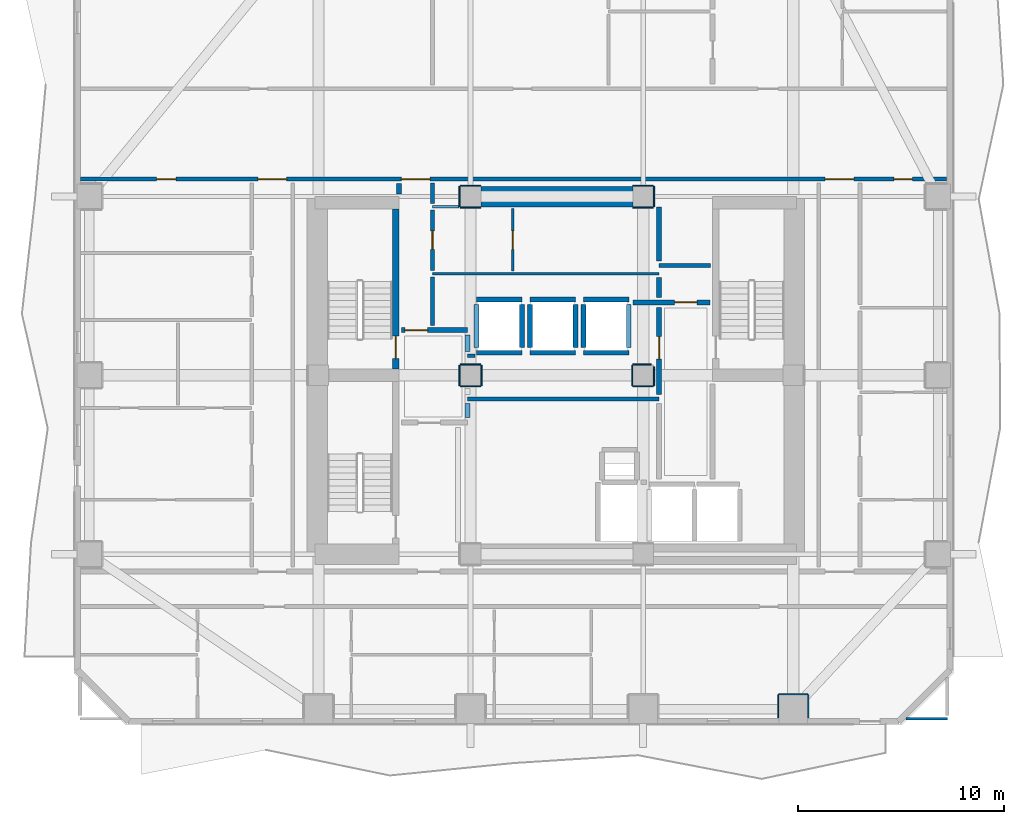
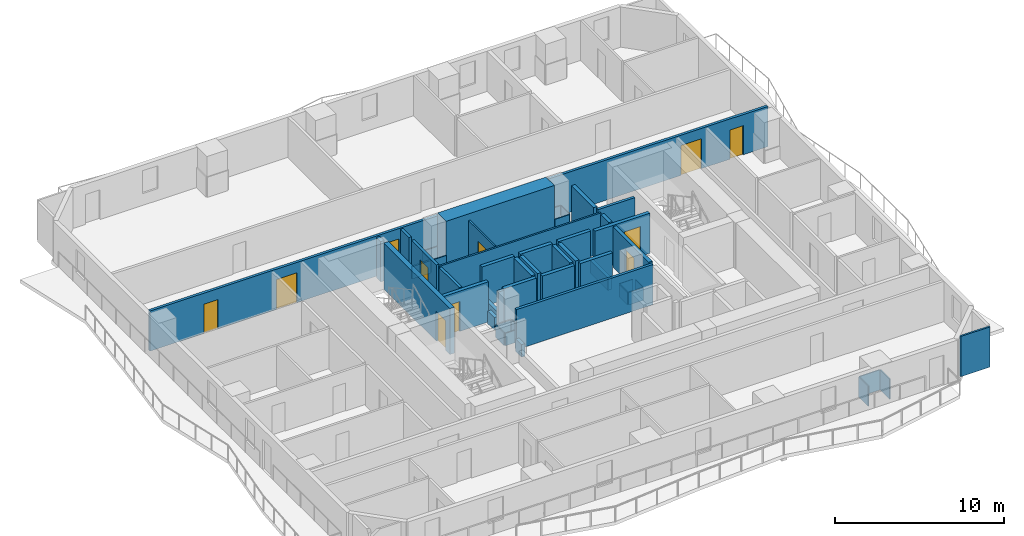
# One storey, part 4 of 10: 50 walls, 11 doors, 11 openings.
"""IFC4 building model written with IfcOpenShell, lengths in metres."""

from ifc_helpers import new_model, si_unit, direction, frame, frame_2d, origin, place, context, subcontext, project, spatial, rectangle, extrude, material, layer, layer_set, type_object, element, fill, save


model = new_model("IFC4")

# Units and contexts
model_context = context("Model", 3, precision=1e-05, world=origin(), true_north=direction((0.0, 1.0)))
body_context = subcontext(model_context, "Body", "Model", "MODEL_VIEW")
ifc_project = project(units=[si_unit("LENGTHUNIT", "METRE"), si_unit("AREAUNIT", "SQUARE_METRE"), si_unit("VOLUMEUNIT", "CUBIC_METRE"), si_unit("PLANEANGLEUNIT", "RADIAN"), si_unit("MASSUNIT", "GRAM", prefix="KILO")], contexts=[model_context])

# Site, building, storey
site_placement = place(None, origin())
site = spatial("IfcSite", under=ifc_project, at=site_placement, CompositionType="ELEMENT")
building_placement = place(site_placement, origin())
building = spatial("IfcBuilding", under=site, at=building_placement, Name="Solanera Arch Residences", CompositionType="ELEMENT")
storey_placement = place(building_placement, frame((0.0, 0.0, 102.760009765625)))
storey = spatial("IfcBuildingStorey", under=building, at=storey_placement, Name="L29", CompositionType="ELEMENT", Elevation=102.760009765625)

# Walls
ifc_material_1 = material(Name="Fire-Rated Gypsum Stud Partition", Category="gypsum")
ifc_layer_1 = layer(ifc_material_1, 0.06005859375)
ifc_layer_set_1 = layer_set([ifc_layer_1], Name="Fire-Rated Gypsum Stud Partition")
wall_type_1 = type_object("IfcWallType", Name="Column Acoustic Furring Wall 60", PredefinedType="PARTITIONING", material=ifc_layer_set_1)
for number, where, z_axis, x_axis, name in (
    (1, (20.300048828125, 38.867919921875, 0.0), (0.0, 0.0, 1.0), (1.0, 0.0, 0.0), "L29 Column Furring 3S"),
    (2, (20.300048828125, 39.931884765625, 0.0), (0.0, 0.0, 1.0), (1.0, 0.0, 0.0), "L29 Column Furring 3N"),
    (3, (20.26806640625, 38.89990234375, 0.0), (0.0, 0.0, 1.0), (0.0, 1.0, 0.0), "L29 Column Furring 3W"),
    (4, (28.699951171875, 38.867919921875, 0.0), (0.0, 0.0, 1.0), (1.0, 0.0, 0.0), "L29 Column Furring 4S"),
    (5, (28.699951171875, 39.931884765625, 0.0), (0.0, 0.0, 1.0), (1.0, 0.0, 0.0), "L29 Column Furring 4N"),
    (6, (29.73193359375, 38.89990234375, 0.0), (0.0, 0.0, 1.0), (0.0, 1.0, 0.0), "L29 Column Furring 4E"),
    (7, (20.300048828125, 30.16796875, 0.0), (0.0, 0.0, 1.0), (1.0, 0.0, 0.0), "L29 Column Furring 7S"),
    (8, (20.300048828125, 31.23193359375, 0.0), (0.0, 0.0, 1.0), (1.0, 0.0, 0.0), "L29 Column Furring 7N"),
    (9, (20.26806640625, 30.199951171875, 0.0), (0.0, 0.0, 1.0), (0.0, 1.0, 0.0), "L29 Column Furring 7W"),
    (10, (21.33203125, 30.199951171875, 0.0), (0.0, 0.0, 1.0), (0.0, 1.0, 0.0), "L29 Column Furring 7E"),
    (11, (28.699951171875, 30.16796875, 0.0), (0.0, 0.0, 1.0), (1.0, 0.0, 0.0), "L29 Column Furring 8S"),
):
    element("IfcWall", number, at=place(storey_placement, frame(where, z_axis=z_axis, x_axis=x_axis)), inside=storey, type_object=wall_type_1, Name=name, PredefinedType="PARTITIONING", context=body_context, shape_type="SweptSolid", body=[
        extrude(rectangle(XDim=1.0, YDim=0.06005859375, at=frame_2d((0.5, 0.0))), origin(), (0.0, 0.0, 1.0), 0.905029296875),
    ])
wall_1_placement = place(storey_placement, frame((28.699951171875, 31.23193359375, 0.0), z_axis=(0.0, 0.0, 1.0), x_axis=(1.0, 0.0, 0.0)))
element("IfcWall", 12, at=wall_1_placement, inside=storey, type_object=wall_type_1, Name="L29 Column Furring 8N", PredefinedType="PARTITIONING", context=body_context, shape_type="SweptSolid", body=[
    extrude(rectangle(XDim=0.903076171875, YDim=0.06005859375, at=frame_2d((0.45166015625, 0.0))), origin(), (0.0, 0.0, 1.0), 0.905029296875),
])
wall_2_placement = place(storey_placement, frame((28.66796875, 30.199951171875, 0.0), z_axis=(0.0, 0.0, 1.0), x_axis=(0.0, 1.0, 0.0)))
element("IfcWall", 13, at=wall_2_placement, inside=storey, type_object=wall_type_1, Name="L29 Column Furring 8W", PredefinedType="PARTITIONING", context=body_context, shape_type="SweptSolid", body=[
    extrude(rectangle(XDim=1.0, YDim=0.06005859375, at=frame_2d((0.5, 0.0))), origin(), (0.0, 0.0, 1.0), 0.905029296875),
])
wall_3_placement = place(storey_placement, frame((29.73193359375, 30.199951171875, 0.0), z_axis=(0.0, 0.0, 1.0), x_axis=(0.0, 1.0, 0.0)))
element("IfcWall", 14, at=wall_3_placement, inside=storey, type_object=wall_type_1, Name="L29 Column Furring 8E", PredefinedType="PARTITIONING", context=body_context, shape_type="SweptSolid", body=[
    extrude(rectangle(XDim=0.906982421875, YDim=0.06005859375, at=frame_2d((0.45361328125, 0.0))), origin(), (0.0, 0.0, 1.0), 0.905029296875),
])
wall_4_placement = place(storey_placement, frame((35.800048828125, 15.181884765625, 0.0), z_axis=(0.0, 0.0, 1.0), x_axis=(1.0, 0.0, 0.0)))
element("IfcWall", 15, at=wall_4_placement, inside=storey, type_object=wall_type_1, Name="L29 Column Furring 15N", PredefinedType="PARTITIONING", context=body_context, shape_type="SweptSolid", body=[
    extrude(rectangle(XDim=1.39990234375, YDim=0.06005859375, at=frame_2d((0.699951171875, 0.0))), origin(), (0.0, 0.0, 1.0), 1.449951171875),
])
for number, where, z_axis, x_axis, name in (
    (16, (35.76806640625, 14.030029296875, 0.0), (0.0, 0.0, 1.0), (0.0, 1.0, 0.0), "L29 Column Furring 15W"),
    (17, (37.23193359375, 14.030029296875, 0.0), (0.0, 0.0, 1.0), (0.0, 1.0, 0.0), "L29 Column Furring 15E"),
):
    element("IfcWall", number, at=place(storey_placement, frame(where, z_axis=z_axis, x_axis=x_axis)), inside=storey, type_object=wall_type_1, Name=name, PredefinedType="PARTITIONING", context=body_context, shape_type="SweptSolid", body=[
        extrude(rectangle(XDim=1.119873046875, YDim=0.06005859375, at=frame_2d((0.56005859375, 0.0))), origin(), (0.0, 0.0, 1.0), 1.449951171875),
    ])
ifc_material_2 = material(Name="Concrete C55/67 (f'c = 60 MPa)", Category="concrete")
ifc_layer_2 = layer(ifc_material_2, 1.0)
ifc_layer_set_2 = layer_set([ifc_layer_2], Name="Concrete C55/67 (f'c = 60 MPa)")
wall_type_2 = type_object("IfcWallType", Name="Core Shear Wall CW-1000", PredefinedType="SHEAR", material=ifc_layer_set_2)
wall_5_placement = place(storey_placement, frame((21.304931640625, 39.39990234375, 0.0), z_axis=(0.0, 0.0, 1.0), x_axis=(1.0, 0.0, 0.0)))
element("IfcWall", 18, at=wall_5_placement, inside=storey, type_object=wall_type_2, Name="L29 Central North Core Shear Wall", PredefinedType="SHEAR", context=body_context, shape_type="SweptSolid", body=[
    extrude(rectangle(XDim=7.39013671875, YDim=1.0, at=frame_2d((3.695068359375, 0.0))), origin(), (0.0, 0.0, 1.0), 3.320068359375),
])

# Wall, opening, door
ifc_material_3 = material(Name="Concrete C40/50 (f'c = 45 MPa)", Category="concrete")
ifc_layer_3 = layer(ifc_material_3, 0.320068359375)
ifc_layer_set_3 = layer_set([ifc_layer_3], Name="Concrete C40/50 (f'c = 45 MPa)")
wall_type_3 = type_object("IfcWallType", Name="Core Shear Wall CW-320", PredefinedType="SHEAR", material=ifc_layer_set_3)
wall_6_placement = place(storey_placement, frame((17.159912109375, 31.0, 0.0), z_axis=(0.0, 0.0, 1.0), x_axis=(0.0, 1.0, 0.0)))
wall_6 = element("IfcWall", 19, at=wall_6_placement, inside=storey, type_object=wall_type_3, Name="L29 Stair ST-T1 East Shear Wall", PredefinedType="SHEAR", context=body_context, shape_type="SweptSolid", body=[
    extrude(rectangle(XDim=7.800048828125, YDim=0.320068359375, at=frame_2d((3.89990234375, 0.0))), origin(), (0.0, 0.0, 1.0), 3.320068359375),
])
opening_1_placement = place(wall_6_placement, frame((0.510009765625, 0.0, 0.0)))
opening_1 = element("IfcOpeningElement", 20, at=opening_1_placement, cuts=wall_6, Name="Opening DF-01", PredefinedType="OPENING", context=body_context, shape_type="SweptSolid", body=[
    extrude(rectangle(XDim=1.10009765625, YDim=2.14990234375, at=frame_2d((0.550048828125, 1.074951171875))), frame((0.0, 0.169921875, 0.0), z_axis=(0.0, -1.0, 0.0), x_axis=(1.0, 0.0, 0.0)), (0.0, 0.0, 1.0), 0.3401),
])
ifc_material_4 = material(Name="Fire-Rated Architectural Hardwood", Category="wood")
door_type_1 = type_object("IfcDoorType", Name="Stair Exit Fire Door DF-01", OperationType="NOTDEFINED", PredefinedType="DOOR", material=ifc_material_4)
door_1_placement = place(opening_1_placement, origin())
door_1 = element("IfcDoor", 21, at=door_1_placement, inside=storey, type_object=door_type_1, Name="DR-L29-STAIR-ST-T1", OperationType="SINGLE_SWING_RIGHT", OverallHeight=2.14990234375, OverallWidth=1.10009765625, PredefinedType="DOOR", context=body_context, shape_type="SweptSolid", body=[
    extrude(rectangle(XDim=1.10009765625, YDim=2.14990234375, at=frame_2d((0.550048828125, 1.074951171875))), frame((0.0, 0.02490234375, 0.0), z_axis=(0.0, -1.0, 0.0), x_axis=(1.0, 0.0, 0.0)), (0.0, 0.0, 1.0), 0.050048828125),
])
fill(opening_1, door_1)

# Walls
ifc_material_5 = material(Name="Autoclaved Aerated Concrete Blockwork", Category="masonry")
ifc_layer_4 = layer(ifc_material_5, 0.179931640625)
ifc_layer_set_4 = layer_set([ifc_layer_4], Name="Autoclaved Aerated Concrete Blockwork")
wall_type_4 = type_object("IfcWallType", Name="Corridor Fire Partition 180", PredefinedType="PARTITIONING", material=ifc_layer_set_4)
wall_7_placement = place(storey_placement, frame((20.64990234375, 29.550048828125, 0.0), z_axis=(0.0, 0.0, 1.0), x_axis=(1.0, 0.0, 0.0)))
element("IfcWall", 22, at=wall_7_placement, inside=storey, type_object=wall_type_4, Name="L29 Interior Partition H7", PredefinedType="PARTITIONING", context=body_context, shape_type="SweptSolid", body=[
    extrude(rectangle(XDim=9.3251953125, YDim=0.179931640625, at=frame_2d((4.66259765625, 0.0))), origin(), (0.0, 0.0, 1.0), 2.89990234375),
])
wall_8_placement = place(storey_placement, frame((20.64990234375, 31.64990234375, 0.0), z_axis=(0.0, 0.0, 1.0), x_axis=(1.0, 0.0, 0.0)))
element("IfcWall", 23, at=wall_8_placement, inside=storey, type_object=wall_type_4, Name="L29 Interior Partition H8", PredefinedType="PARTITIONING", context=body_context, shape_type="SweptSolid", body=[
    extrude(rectangle(XDim=0.357177734375, YDim=0.179931640625, at=frame_2d((0.1787109375, 0.0))), origin(), (0.0, 0.0, 1.0), 2.89990234375),
])
wall_9_placement = place(storey_placement, frame((29.97509765625, 36.050048828125, 0.0), z_axis=(0.0, 0.0, 1.0), x_axis=(1.0, 0.0, 0.0)))
element("IfcWall", 24, at=wall_9_placement, inside=storey, type_object=wall_type_4, Name="L29 Interior Partition H9", PredefinedType="PARTITIONING", context=body_context, shape_type="SweptSolid", body=[
    extrude(rectangle(XDim=2.5048828125, YDim=0.179931640625, at=frame_2d((1.25244140625, 0.0))), origin(), (0.0, 0.0, 1.0), 2.89990234375),
])

# Wall, openings, doors
wall_10_placement = place(storey_placement, frame((1.826904296875, 40.25, 0.0), z_axis=(0.0, 0.0, 1.0), x_axis=(1.0, 0.0, 0.0)))
wall_10 = element("IfcWall", 25, at=wall_10_placement, inside=storey, type_object=wall_type_4, Name="L29 Interior Partition H10", PredefinedType="PARTITIONING", context=body_context, shape_type="SweptSolid", body=[
    extrude(rectangle(XDim=42.14599609375, YDim=0.179931640625, at=frame_2d((21.072998046875, 0.0))), origin(), (0.0, 0.0, 1.0), 2.89990234375),
])
opening_2_placement = place(wall_10_placement, frame((15.60791015625, 0.0, 0.0)))
opening_2 = element("IfcOpeningElement", 26, at=opening_2_placement, cuts=wall_10, Name="Opening DF-03", PredefinedType="OPENING", context=body_context, shape_type="SweptSolid", body=[
    extrude(rectangle(XDim=1.39990234375, YDim=2.14990234375, at=frame_2d((0.699951171875, 1.074951171875))), frame((0.0, 0.10009765625, 0.0), z_axis=(0.0, -1.0, 0.0), x_axis=(1.0, 0.0, 0.0)), (0.0, 0.0, 1.0), 0.1999),
])
opening_3_placement = place(wall_10_placement, frame((8.623046875, 0.0, 0.0)))
opening_3 = element("IfcOpeningElement", 27, at=opening_3_placement, cuts=wall_10, Name="Opening DF-03", PredefinedType="OPENING", context=body_context, shape_type="SweptSolid", body=[
    extrude(rectangle(XDim=1.39990234375, YDim=2.14990234375, at=frame_2d((0.699951171875, 1.074951171875))), frame((0.0, 0.10009765625, 0.0), z_axis=(0.0, -1.0, 0.0), x_axis=(1.0, 0.0, 0.0)), (0.0, 0.0, 1.0), 0.1999),
])
opening_4_placement = place(wall_10_placement, frame((36.222900390625, 0.0, 0.0)))
opening_4 = element("IfcOpeningElement", 28, at=opening_4_placement, cuts=wall_10, Name="Opening DF-03", PredefinedType="OPENING", context=body_context, shape_type="SweptSolid", body=[
    extrude(rectangle(XDim=1.39990234375, YDim=2.14990234375, at=frame_2d((0.699951171875, 1.074951171875))), frame((0.0, 0.10009765625, 0.0), z_axis=(0.0, -1.0, 0.0), x_axis=(1.0, 0.0, 0.0)), (0.0, 0.0, 1.0), 0.1999),
])
opening_5_placement = place(wall_10_placement, frame((3.697021484375, 0.0, 0.0)))
opening_5 = element("IfcOpeningElement", 29, at=opening_5_placement, cuts=wall_10, Name="Opening DI-04", PredefinedType="OPENING", context=body_context, shape_type="SweptSolid", body=[
    extrude(rectangle(XDim=0.949951171875, YDim=2.10009765625, at=frame_2d((0.47509765625, 1.050048828125))), frame((0.0, 0.10009765625, 0.0), z_axis=(0.0, -1.0, 0.0), x_axis=(1.0, 0.0, 0.0)), (0.0, 0.0, 1.0), 0.1999),
])
opening_6_placement = place(wall_10_placement, frame((39.573974609375, 0.0, 0.0)))
opening_6 = element("IfcOpeningElement", 30, at=opening_6_placement, cuts=wall_10, Name="Opening DI-02", PredefinedType="OPENING", context=body_context, shape_type="SweptSolid", body=[
    extrude(rectangle(XDim=0.89990234375, YDim=2.10009765625, at=frame_2d((0.449951171875, 1.050048828125))), frame((0.0, 0.10009765625, 0.0), z_axis=(0.0, -1.0, 0.0), x_axis=(1.0, 0.0, 0.0)), (0.0, 0.0, 1.0), 0.1999),
])
ifc_material_6 = material(Name="Fire-Rated Architectural Hardwood", Category="wood")
door_type_2 = type_object("IfcDoorType", Name="Accessible Restroom Door DI-04", OperationType="NOTDEFINED", PredefinedType="DOOR", material=ifc_material_6)
door_2_placement = place(opening_5_placement, origin())
door_2 = element("IfcDoor", 31, at=door_2_placement, inside=storey, type_object=door_type_2, Name="DR-L29-IN-036", OperationType="SINGLE_SWING_LEFT", OverallHeight=2.10009765625, OverallWidth=0.949951171875, PredefinedType="DOOR", context=body_context, shape_type="SweptSolid", body=[
    extrude(rectangle(XDim=0.949951171875, YDim=2.10009765625, at=frame_2d((0.47509765625, 1.050048828125))), frame((0.0, 0.02490234375, 0.0), z_axis=(0.0, -1.0, 0.0), x_axis=(1.0, 0.0, 0.0)), (0.0, 0.0, 1.0), 0.050048828125),
])
fill(opening_5, door_2)
ifc_material_7 = material(Name="Fire-Rated Architectural Hardwood", Category="wood")
door_type_3 = type_object("IfcDoorType", Name="Corridor Smoke Door DF-03", OperationType="NOTDEFINED", PredefinedType="DOOR", material=ifc_material_7)
door_3_placement = place(opening_2_placement, origin())
door_3 = element("IfcDoor", 32, at=door_3_placement, inside=storey, type_object=door_type_3, Name="DR-L29-IN-009", OperationType="SINGLE_SWING_RIGHT", OverallHeight=2.14990234375, OverallWidth=1.39990234375, PredefinedType="DOOR", context=body_context, shape_type="SweptSolid", body=[
    extrude(rectangle(XDim=1.39990234375, YDim=2.14990234375, at=frame_2d((0.699951171875, 1.074951171875))), frame((0.0, 0.02490234375, 0.0), z_axis=(0.0, -1.0, 0.0), x_axis=(1.0, 0.0, 0.0)), (0.0, 0.0, 1.0), 0.050048828125),
])
fill(opening_2, door_3)
door_4_placement = place(opening_3_placement, origin())
door_4 = element("IfcDoor", 33, at=door_4_placement, inside=storey, type_object=door_type_3, Name="DR-L29-IN-012", OperationType="SINGLE_SWING_LEFT", OverallHeight=2.14990234375, OverallWidth=1.39990234375, PredefinedType="DOOR", context=body_context, shape_type="SweptSolid", body=[
    extrude(rectangle(XDim=1.39990234375, YDim=2.14990234375, at=frame_2d((0.699951171875, 1.074951171875))), frame((0.0, 0.02490234375, 0.0), z_axis=(0.0, -1.0, 0.0), x_axis=(1.0, 0.0, 0.0)), (0.0, 0.0, 1.0), 0.050048828125),
])
fill(opening_3, door_4)
door_5_placement = place(opening_4_placement, origin())
door_5 = element("IfcDoor", 34, at=door_5_placement, inside=storey, type_object=door_type_3, Name="DR-L29-IN-013", OperationType="SINGLE_SWING_RIGHT", OverallHeight=2.14990234375, OverallWidth=1.39990234375, PredefinedType="DOOR", context=body_context, shape_type="SweptSolid", body=[
    extrude(rectangle(XDim=1.39990234375, YDim=2.14990234375, at=frame_2d((0.699951171875, 1.074951171875))), frame((0.0, 0.02490234375, 0.0), z_axis=(0.0, -1.0, 0.0), x_axis=(1.0, 0.0, 0.0)), (0.0, 0.0, 1.0), 0.050048828125),
])
fill(opening_4, door_5)
ifc_material_8 = material(Name="Fire-Rated Architectural Hardwood", Category="wood")
door_type_4 = type_object("IfcDoorType", Name="Suite Room Swing Door DI-02", OperationType="NOTDEFINED", PredefinedType="DOOR", material=ifc_material_8)
door_6_placement = place(opening_6_placement, origin())
door_6 = element("IfcDoor", 35, at=door_6_placement, inside=storey, type_object=door_type_4, Name="DR-L29-IN-040", OperationType="SINGLE_SWING_LEFT", OverallHeight=2.10009765625, OverallWidth=0.89990234375, PredefinedType="DOOR", context=body_context, shape_type="SweptSolid", body=[
    extrude(rectangle(XDim=0.89990234375, YDim=2.10009765625, at=frame_2d((0.449951171875, 1.050048828125))), frame((0.0, 0.02490234375, 0.0), z_axis=(0.0, -1.0, 0.0), x_axis=(1.0, 0.0, 0.0)), (0.0, 0.0, 1.0), 0.050048828125),
])
fill(opening_6, door_6)

# Wall
wall_11_placement = place(storey_placement, frame((18.949951171875, 33.117919921875, 0.0), z_axis=(0.0, 0.0, 1.0), x_axis=(0.0, 1.0, 0.0)))
element("IfcWall", 36, at=wall_11_placement, inside=storey, type_object=wall_type_4, Name="L29 Interior Partition V10 1", PredefinedType="PARTITIONING", context=body_context, shape_type="SweptSolid", body=[
    extrude(rectangle(XDim=2.3740234375, YDim=0.179931640625, at=frame_2d((1.18701171875, 0.0))), origin(), (0.0, 0.0, 1.0), 2.89990234375),
])

# Wall, opening, door
wall_12_placement = place(storey_placement, frame((18.949951171875, 35.80810546875, 0.0), z_axis=(0.0, 0.0, 1.0), x_axis=(0.0, 1.0, 0.0)))
wall_12 = element("IfcWall", 37, at=wall_12_placement, inside=storey, type_object=wall_type_4, Name="L29 Interior Partition V10 2", PredefinedType="PARTITIONING", context=body_context, shape_type="SweptSolid", body=[
    extrude(rectangle(XDim=2.933837890625, YDim=0.179931640625, at=frame_2d((1.466796875, 0.0))), origin(), (0.0, 0.0, 1.0), 2.89990234375),
])
opening_7_placement = place(wall_12_placement, frame((1.01708984375, 0.0, 0.0)))
opening_7 = element("IfcOpeningElement", 38, at=opening_7_placement, cuts=wall_12, Name="Opening DI-02", PredefinedType="OPENING", context=body_context, shape_type="SweptSolid", body=[
    extrude(rectangle(XDim=0.89990234375, YDim=2.10009765625, at=frame_2d((0.449951171875, 1.050048828125))), frame((0.0, 0.10009765625, 0.0), z_axis=(0.0, -1.0, 0.0), x_axis=(1.0, 0.0, 0.0)), (0.0, 0.0, 1.0), 0.1999),
])
door_7_placement = place(opening_7_placement, origin())
door_7 = element("IfcDoor", 39, at=door_7_placement, inside=storey, type_object=door_type_4, Name="DR-L29-IN-014", OperationType="SINGLE_SWING_LEFT", OverallHeight=2.10009765625, OverallWidth=0.89990234375, PredefinedType="DOOR", context=body_context, shape_type="SweptSolid", body=[
    extrude(rectangle(XDim=0.89990234375, YDim=2.10009765625, at=frame_2d((0.449951171875, 1.050048828125))), frame((0.0, 0.02490234375, 0.0), z_axis=(0.0, -1.0, 0.0), x_axis=(1.0, 0.0, 0.0)), (0.0, 0.0, 1.0), 0.050048828125),
])
fill(opening_7, door_7)

# Walls
wall_13_placement = place(storey_placement, frame((18.949951171875, 39.05810546875, 0.0), z_axis=(0.0, 0.0, 1.0), x_axis=(0.0, 1.0, 0.0)))
element("IfcWall", 40, at=wall_13_placement, inside=storey, type_object=wall_type_4, Name="L29 Interior Partition V10 3", PredefinedType="PARTITIONING", context=body_context, shape_type="SweptSolid", body=[
    extrude(rectangle(XDim=1.00390625, YDim=0.179931640625, at=frame_2d((0.501953125, 0.0))), origin(), (0.0, 0.0, 1.0), 2.89990234375),
])
ifc_material_9 = material(Name="Autoclaved Aerated Concrete Blockwork", Category="masonry")
ifc_layer_5 = layer(ifc_material_9, 0.239990234375)
ifc_layer_set_5 = layer_set([ifc_layer_5], Name="Autoclaved Aerated Concrete Blockwork")
wall_type_5 = type_object("IfcWallType", Name="Shaft Wall Fire-Rated 240", PredefinedType="PARTITIONING", material=ifc_layer_set_5)
for number, where, z_axis, x_axis, name in (
    (41, (21.10009765625, 31.800048828125, 0.0), (0.0, 0.0, 1.0), (1.0, 0.0, 0.0), "L29 Lift PL-M1 Hoistway Wall S"),
    (42, (21.10009765625, 34.39990234375, 0.0), (0.0, 0.0, 1.0), (1.0, 0.0, 0.0), "L29 Lift PL-M1 Hoistway Wall N"),
):
    element("IfcWall", number, at=place(storey_placement, frame(where, z_axis=z_axis, x_axis=x_axis)), inside=storey, type_object=wall_type_5, Name=name, PredefinedType="PARTITIONING", context=body_context, shape_type="SweptSolid", body=[
        extrude(rectangle(XDim=2.199951171875, YDim=0.239990234375, at=frame_2d((1.10009765625, 0.0))), origin(), (0.0, 0.0, 1.0), 2.89990234375),
    ])
wall_14_placement = place(storey_placement, frame((21.10009765625, 32.048095703125, 0.0), z_axis=(0.0, 0.0, 1.0), x_axis=(0.0, 1.0, 0.0)))
element("IfcWall", 43, at=wall_14_placement, inside=storey, type_object=wall_type_5, Name="L29 Lift PL-M1 Hoistway Wall W", PredefinedType="PARTITIONING", context=body_context, shape_type="SweptSolid", body=[
    extrude(rectangle(XDim=2.10400390625, YDim=0.239990234375, at=frame_2d((1.052001953125, 0.0))), origin(), (0.0, 0.0, 1.0), 0.905029296875),
])
wall_15_placement = place(storey_placement, frame((23.300048828125, 32.048095703125, 0.0), z_axis=(0.0, 0.0, 1.0), x_axis=(0.0, 1.0, 0.0)))
element("IfcWall", 44, at=wall_15_placement, inside=storey, type_object=wall_type_5, Name="L29 Lift PL-M1 Hoistway Wall E", PredefinedType="PARTITIONING", context=body_context, shape_type="SweptSolid", body=[
    extrude(rectangle(XDim=2.10400390625, YDim=0.239990234375, at=frame_2d((1.052001953125, 0.0))), origin(), (0.0, 0.0, 1.0), 2.89990234375),
])
for number, where, z_axis, x_axis, name in (
    (45, (23.699951171875, 31.800048828125, 0.0), (0.0, 0.0, 1.0), (1.0, 0.0, 0.0), "L29 Lift PL-M2 Hoistway Wall S"),
    (46, (23.699951171875, 34.39990234375, 0.0), (0.0, 0.0, 1.0), (1.0, 0.0, 0.0), "L29 Lift PL-M2 Hoistway Wall N"),
):
    element("IfcWall", number, at=place(storey_placement, frame(where, z_axis=z_axis, x_axis=x_axis)), inside=storey, type_object=wall_type_5, Name=name, PredefinedType="PARTITIONING", context=body_context, shape_type="SweptSolid", body=[
        extrude(rectangle(XDim=2.199951171875, YDim=0.239990234375, at=frame_2d((1.10009765625, 0.0))), origin(), (0.0, 0.0, 1.0), 2.89990234375),
    ])
for number, where, z_axis, x_axis, name in (
    (47, (23.699951171875, 32.048095703125, 0.0), (0.0, 0.0, 1.0), (0.0, 1.0, 0.0), "L29 Lift PL-M2 Hoistway Wall W"),
    (48, (25.89990234375, 32.048095703125, 0.0), (0.0, 0.0, 1.0), (0.0, 1.0, 0.0), "L29 Lift PL-M2 Hoistway Wall E"),
):
    element("IfcWall", number, at=place(storey_placement, frame(where, z_axis=z_axis, x_axis=x_axis)), inside=storey, type_object=wall_type_5, Name=name, PredefinedType="PARTITIONING", context=body_context, shape_type="SweptSolid", body=[
        extrude(rectangle(XDim=2.10400390625, YDim=0.239990234375, at=frame_2d((1.052001953125, 0.0))), origin(), (0.0, 0.0, 1.0), 2.89990234375),
    ])
for number, where, z_axis, x_axis, name in (
    (49, (26.300048828125, 31.800048828125, 0.0), (0.0, 0.0, 1.0), (1.0, 0.0, 0.0), "L29 Lift PL-M3 Hoistway Wall S"),
    (50, (26.300048828125, 34.39990234375, 0.0), (0.0, 0.0, 1.0), (1.0, 0.0, 0.0), "L29 Lift PL-M3 Hoistway Wall N"),
):
    element("IfcWall", number, at=place(storey_placement, frame(where, z_axis=z_axis, x_axis=x_axis)), inside=storey, type_object=wall_type_5, Name=name, PredefinedType="PARTITIONING", context=body_context, shape_type="SweptSolid", body=[
        extrude(rectangle(XDim=2.199951171875, YDim=0.239990234375, at=frame_2d((1.10009765625, 0.0))), origin(), (0.0, 0.0, 1.0), 2.89990234375),
    ])
wall_16_placement = place(storey_placement, frame((26.300048828125, 32.048095703125, 0.0), z_axis=(0.0, 0.0, 1.0), x_axis=(0.0, 1.0, 0.0)))
element("IfcWall", 51, at=wall_16_placement, inside=storey, type_object=wall_type_5, Name="L29 Lift PL-M3 Hoistway Wall W", PredefinedType="PARTITIONING", context=body_context, shape_type="SweptSolid", body=[
    extrude(rectangle(XDim=2.10400390625, YDim=0.239990234375, at=frame_2d((1.052001953125, 0.0))), origin(), (0.0, 0.0, 1.0), 2.89990234375),
])
wall_17_placement = place(storey_placement, frame((28.5, 32.048095703125, 0.0), z_axis=(0.0, 0.0, 1.0), x_axis=(0.0, 1.0, 0.0)))
element("IfcWall", 52, at=wall_17_placement, inside=storey, type_object=wall_type_5, Name="L29 Lift PL-M3 Hoistway Wall E", PredefinedType="PARTITIONING", context=body_context, shape_type="SweptSolid", body=[
    extrude(rectangle(XDim=2.10400390625, YDim=0.239990234375, at=frame_2d((1.052001953125, 0.0))), origin(), (0.0, 0.0, 1.0), 0.905029296875),
])

# Wall, opening, door
wall_18_placement = place(storey_placement, frame((17.449951171875, 32.89990234375, 0.0), z_axis=(0.0, 0.0, 1.0), x_axis=(1.0, 0.0, 0.0)))
wall_18 = element("IfcWall", 53, at=wall_18_placement, inside=storey, type_object=wall_type_5, Name="L29 Interior Partition H4", PredefinedType="PARTITIONING", context=body_context, shape_type="SweptSolid", body=[
    extrude(rectangle(XDim=3.199951171875, YDim=0.239990234375, at=frame_2d((1.60009765625, 0.0))), origin(), (0.0, 0.0, 1.0), 2.89990234375),
])
opening_8_placement = place(wall_18_placement, frame((0.158935546875, 0.0, 0.0)))
opening_8 = element("IfcOpeningElement", 54, at=opening_8_placement, cuts=wall_18, Name="Opening DF-02", PredefinedType="OPENING", context=body_context, shape_type="SweptSolid", body=[
    extrude(rectangle(XDim=1.10009765625, YDim=2.14990234375, at=frame_2d((0.550048828125, 1.074951171875))), frame((0.0, 0.1298828125, 0.0), z_axis=(0.0, -1.0, 0.0), x_axis=(1.0, 0.0, 0.0)), (0.0, 0.0, 1.0), 0.26),
])
ifc_material_10 = material(Name="Fire-Rated Architectural Hardwood", Category="wood")
door_type_5 = type_object("IfcDoorType", Name="Firefighting Lobby Fire Door DF-02", OperationType="NOTDEFINED", PredefinedType="DOOR", material=ifc_material_10)
door_8_placement = place(opening_8_placement, origin())
door_8 = element("IfcDoor", 55, at=door_8_placement, inside=storey, type_object=door_type_5, Name="DR-L29-IN-005", OperationType="SINGLE_SWING_RIGHT", OverallHeight=2.14990234375, OverallWidth=1.10009765625, PredefinedType="DOOR", context=body_context, shape_type="SweptSolid", body=[
    extrude(rectangle(XDim=1.10009765625, YDim=2.14990234375, at=frame_2d((0.550048828125, 1.074951171875))), frame((0.0, 0.02490234375, 0.0), z_axis=(0.0, -1.0, 0.0), x_axis=(1.0, 0.0, 0.0)), (0.0, 0.0, 1.0), 0.050048828125),
])
fill(opening_8, door_8)

wall_19_placement = place(storey_placement, frame((28.701904296875, 34.25, 0.0), z_axis=(0.0, 0.0, 1.0), x_axis=(1.0, 0.0, 0.0)))
wall_19 = element("IfcWall", 56, at=wall_19_placement, inside=storey, type_object=wall_type_5, Name="L29 Interior Partition H5", PredefinedType="PARTITIONING", context=body_context, shape_type="SweptSolid", body=[
    extrude(rectangle(XDim=3.748046875, YDim=0.239990234375, at=frame_2d((1.8740234375, 0.0))), origin(), (0.0, 0.0, 1.0), 2.89990234375),
])
opening_9_placement = place(wall_19_placement, frame((2.02490234375, 0.0, 0.0)))
opening_9 = element("IfcOpeningElement", 57, at=opening_9_placement, cuts=wall_19, Name="Opening DF-02", PredefinedType="OPENING", context=body_context, shape_type="SweptSolid", body=[
    extrude(rectangle(XDim=1.10009765625, YDim=2.14990234375, at=frame_2d((0.550048828125, 1.074951171875))), frame((0.0, 0.1298828125, 0.0), z_axis=(0.0, -1.0, 0.0), x_axis=(1.0, 0.0, 0.0)), (0.0, 0.0, 1.0), 0.26),
])
door_9_placement = place(opening_9_placement, origin())
door_9 = element("IfcDoor", 58, at=door_9_placement, inside=storey, type_object=door_type_5, Name="DR-L29-IN-007", OperationType="SINGLE_SWING_RIGHT", OverallHeight=2.14990234375, OverallWidth=1.10009765625, PredefinedType="DOOR", context=body_context, shape_type="SweptSolid", body=[
    extrude(rectangle(XDim=1.10009765625, YDim=2.14990234375, at=frame_2d((0.550048828125, 1.074951171875))), frame((0.0, 0.02490234375, 0.0), z_axis=(0.0, -1.0, 0.0), x_axis=(1.0, 0.0, 0.0)), (0.0, 0.0, 1.0), 0.050048828125),
])
fill(opening_9, door_9)

# Walls
wall_20_placement = place(storey_placement, frame((17.320068359375, 39.530029296875, 0.0), z_axis=(0.0, 0.0, 1.0), x_axis=(0.0, 1.0, 0.0)))
element("IfcWall", 59, at=wall_20_placement, inside=storey, type_object=wall_type_5, Name="L29 Interior Partition V1", PredefinedType="PARTITIONING", context=body_context, shape_type="SweptSolid", body=[
    extrude(rectangle(XDim=0.501953125, YDim=0.239990234375, at=frame_2d((0.2509765625, 0.0))), origin(), (0.0, 0.0, 1.0), 2.89990234375),
])
wall_21_placement = place(storey_placement, frame((20.64990234375, 28.64794921875, 0.0), z_axis=(0.0, 0.0, 1.0), x_axis=(0.0, 1.0, 0.0)))
element("IfcWall", 60, at=wall_21_placement, inside=storey, type_object=wall_type_5, Name="L29 Interior Partition V3 1", PredefinedType="PARTITIONING", context=body_context, shape_type="SweptSolid", body=[
    extrude(rectangle(XDim=0.68408203125, YDim=0.239990234375, at=frame_2d((0.342041015625, 0.0))), origin(), (0.0, 0.0, 1.0), 0.905029296875),
])
wall_22_placement = place(storey_placement, frame((20.64990234375, 31.867919921875, 0.0), z_axis=(0.0, 0.0, 1.0), x_axis=(0.0, 1.0, 0.0)))
element("IfcWall", 61, at=wall_22_placement, inside=storey, type_object=wall_type_5, Name="L29 Interior Partition V3 3", PredefinedType="PARTITIONING", context=body_context, shape_type="SweptSolid", body=[
    extrude(rectangle(XDim=0.7841796875, YDim=0.239990234375, at=frame_2d((0.39208984375, 0.0))), origin(), (0.0, 0.0, 1.0), 0.905029296875),
])

# Wall, opening, door
wall_23_placement = place(storey_placement, frame((29.97509765625, 29.76806640625, 0.0), z_axis=(0.0, 0.0, 1.0), x_axis=(0.0, 1.0, 0.0)))
wall_23 = element("IfcWall", 62, at=wall_23_placement, inside=storey, type_object=wall_type_5, Name="L29 Interior Partition V4 2", PredefinedType="PARTITIONING", context=body_context, shape_type="SweptSolid", body=[
    extrude(rectangle(XDim=4.23388671875, YDim=0.239990234375, at=frame_2d((2.116943359375, 0.0))), origin(), (0.0, 0.0, 1.0), 2.89990234375),
])
opening_10_placement = place(wall_23_placement, frame((1.717041015625, 0.0, 0.0)))
opening_10 = element("IfcOpeningElement", 63, at=opening_10_placement, cuts=wall_23, Name="Opening DF-02", PredefinedType="OPENING", context=body_context, shape_type="SweptSolid", body=[
    extrude(rectangle(XDim=1.10009765625, YDim=2.14990234375, at=frame_2d((0.550048828125, 1.074951171875))), frame((0.0, 0.1298828125, 0.0), z_axis=(0.0, -1.0, 0.0), x_axis=(1.0, 0.0, 0.0)), (0.0, 0.0, 1.0), 0.26),
])
door_10_placement = place(opening_10_placement, origin())
door_10 = element("IfcDoor", 64, at=door_10_placement, inside=storey, type_object=door_type_5, Name="DR-L29-IN-006", OperationType="SINGLE_SWING_LEFT", OverallHeight=2.14990234375, OverallWidth=1.10009765625, PredefinedType="DOOR", context=body_context, shape_type="SweptSolid", body=[
    extrude(rectangle(XDim=1.10009765625, YDim=2.14990234375, at=frame_2d((0.550048828125, 1.074951171875))), frame((0.0, 0.02490234375, 0.0), z_axis=(0.0, -1.0, 0.0), x_axis=(1.0, 0.0, 0.0)), (0.0, 0.0, 1.0), 0.050048828125),
])
fill(opening_10, door_10)

# Walls
wall_24_placement = place(storey_placement, frame((29.97509765625, 34.498046875, 0.0), z_axis=(0.0, 0.0, 1.0), x_axis=(0.0, 1.0, 0.0)))
element("IfcWall", 65, at=wall_24_placement, inside=storey, type_object=wall_type_5, Name="L29 Interior Partition V4 3", PredefinedType="PARTITIONING", context=body_context, shape_type="SweptSolid", body=[
    extrude(rectangle(XDim=0.9638671875, YDim=0.239990234375, at=frame_2d((0.48193359375, 0.0))), origin(), (0.0, 0.0, 1.0), 2.89990234375),
])
wall_25_placement = place(storey_placement, frame((29.97509765625, 36.26806640625, 0.0), z_axis=(0.0, 0.0, 1.0), x_axis=(0.0, 1.0, 0.0)))
element("IfcWall", 66, at=wall_25_placement, inside=storey, type_object=wall_type_5, Name="L29 Interior Partition V4 4", PredefinedType="PARTITIONING", context=body_context, shape_type="SweptSolid", body=[
    extrude(rectangle(XDim=2.6318359375, YDim=0.239990234375, at=frame_2d((1.31591796875, 0.0))), origin(), (0.0, 0.0, 1.0), 2.89990234375),
])
ifc_material_11 = material(Name="Fire-Rated Gypsum Stud Partition", Category="gypsum")
ifc_layer_6 = layer(ifc_material_11, 0.1201171875)
ifc_layer_set_6 = layer_set([ifc_layer_6], Name="Fire-Rated Gypsum Stud Partition")
wall_type_6 = type_object("IfcWallType", Name="Unit Drywall Partition 120", PredefinedType="PARTITIONING", material=ifc_layer_set_6)
wall_26_placement = place(storey_placement, frame((41.9990234375, 14.0, 0.0), z_axis=(0.0, 0.0, 1.0), x_axis=(1.0, 0.0, 0.0)))
element("IfcWall", 67, at=wall_26_placement, inside=storey, type_object=wall_type_6, Name="L29 Interior Partition H21 2", PredefinedType="PARTITIONING", context=body_context, shape_type="SweptSolid", body=[
    extrude(rectangle(XDim=2.0009765625, YDim=0.1201171875, at=frame_2d((1.00048828125, 0.0))), origin(), (0.0, 0.0, 1.0), 2.89990234375),
])
wall_27_placement = place(storey_placement, frame((18.949951171875, 35.64990234375, 0.0), z_axis=(0.0, 0.0, 1.0), x_axis=(1.0, 0.0, 0.0)))
element("IfcWall", 68, at=wall_27_placement, inside=storey, type_object=wall_type_6, Name="L29 Interior Partition H24", PredefinedType="PARTITIONING", context=body_context, shape_type="SweptSolid", body=[
    extrude(rectangle(XDim=11.025146484375, YDim=0.1201171875, at=frame_2d((5.5126953125, 0.0))), origin(), (0.0, 0.0, 1.0), 2.89990234375),
])
wall_28_placement = place(storey_placement, frame((18.949951171875, 38.89990234375, 0.0), z_axis=(0.0, 0.0, 1.0), x_axis=(1.0, 0.0, 0.0)))
element("IfcWall", 69, at=wall_28_placement, inside=storey, type_object=wall_type_6, Name="L29 Interior Partition H25", PredefinedType="PARTITIONING", context=body_context, shape_type="SweptSolid", body=[
    extrude(rectangle(XDim=1.278076171875, YDim=0.1201171875, at=frame_2d((0.63916015625, 0.0))), origin(), (0.0, 0.0, 1.0), 0.905029296875),
])

# Wall, opening, door
wall_29_placement = place(storey_placement, frame((22.85009765625, 35.778076171875, 0.0), z_axis=(0.0, 0.0, 1.0), x_axis=(0.0, 1.0, 0.0)))
wall_29 = element("IfcWall", 70, at=wall_29_placement, inside=storey, type_object=wall_type_6, Name="L29 Interior Partition V21", PredefinedType="PARTITIONING", context=body_context, shape_type="SweptSolid", body=[
    extrude(rectangle(XDim=3.052001953125, YDim=0.1201171875, at=frame_2d((1.52587890625, 0.0))), origin(), (0.0, 0.0, 1.0), 2.89990234375),
])
opening_11_placement = place(wall_29_placement, frame((1.047119140625, 0.0, 0.0)))
opening_11 = element("IfcOpeningElement", 71, at=opening_11_placement, cuts=wall_29, Name="Opening DI-02", PredefinedType="OPENING", context=body_context, shape_type="SweptSolid", body=[
    extrude(rectangle(XDim=0.89990234375, YDim=2.10009765625, at=frame_2d((0.449951171875, 1.050048828125))), frame((0.0, 0.070068359375, 0.0), z_axis=(0.0, -1.0, 0.0), x_axis=(1.0, 0.0, 0.0)), (0.0, 0.0, 1.0), 0.1401),
])
door_11_placement = place(opening_11_placement, origin())
door_11 = element("IfcDoor", 72, at=door_11_placement, inside=storey, type_object=door_type_4, Name="DR-L29-IN-015", OperationType="SINGLE_SWING_RIGHT", OverallHeight=2.10009765625, OverallWidth=0.89990234375, PredefinedType="DOOR", context=body_context, shape_type="SweptSolid", body=[
    extrude(rectangle(XDim=0.89990234375, YDim=2.10009765625, at=frame_2d((0.449951171875, 1.050048828125))), frame((0.0, 0.02490234375, 0.0), z_axis=(0.0, -1.0, 0.0), x_axis=(1.0, 0.0, 0.0)), (0.0, 0.0, 1.0), 0.050048828125),
])
fill(opening_11, door_11)

save(model, "model.ifc")
